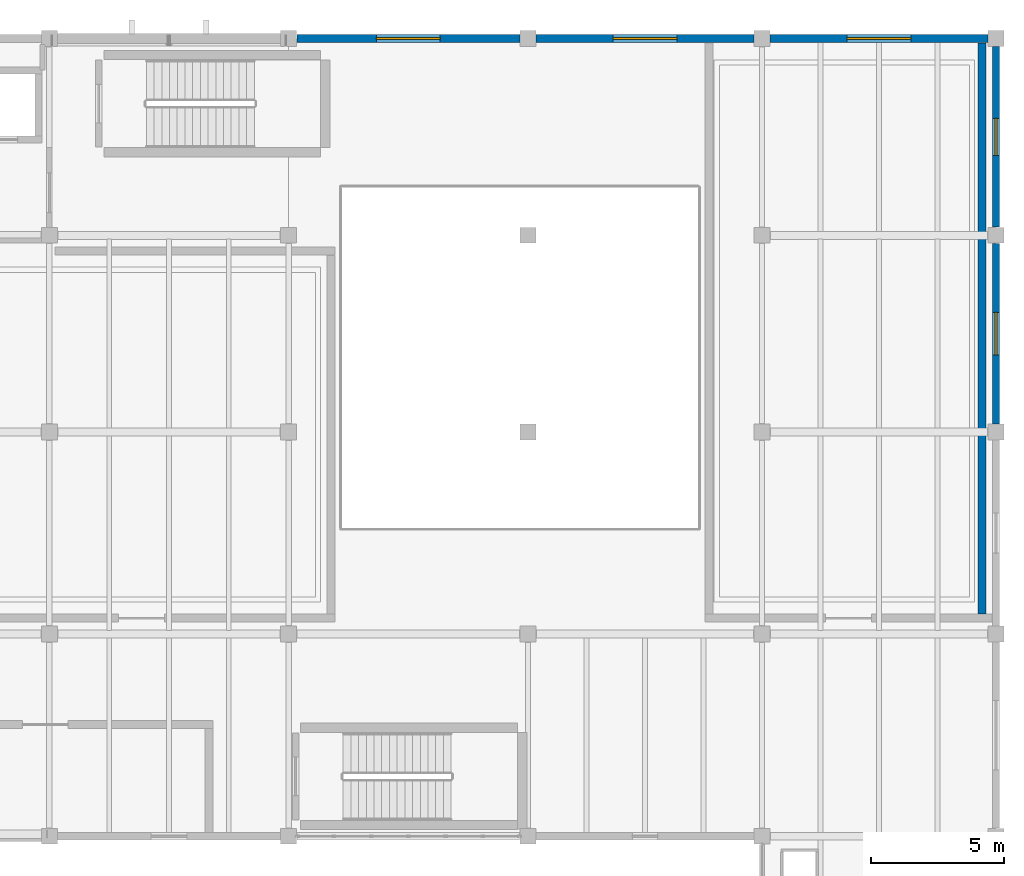
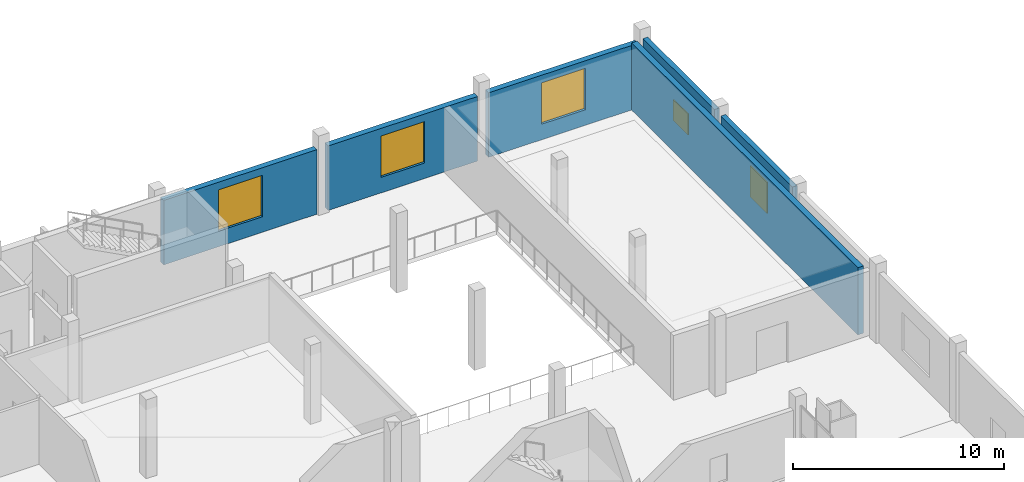
# One storey, part 125 of 136: 6 walls, 5 windows, 5 openings.
"""IFC4 building model written with IfcOpenShell, lengths in metres."""

import ifcopenshell
import ifcopenshell.guid

model = None  # the IFC model being written
_history = None  # IfcOwnerHistory: only IFC2X3 demands one
_inside = {}  # id of a spatial element -> (the spatial element, [elements in it])
_under = {}  # id of a project, library or spatial element -> (it, [spatial elements below it])
_declared = {}  # id of a project -> (the project, [libraries it declares])
_typed = {}  # id of a type object -> (the type object, [elements of that type])
_made_of = {}  # id of a material, layer set ... -> (it, [elements and type objects made of it])


def new_model(schema):
    """Start an empty IFC model of exactly this schema.

    Asked for "IFC4X3", IfcOpenShell would pick the latest addendum, in which some entities
    have other attributes; the version numbers below select the first issue.
    IFC2X3 requires an IfcOwnerHistory on every rooted entity: one is made here for all.
    """
    global model, _history
    if schema == "IFC4X3":
        model = ifcopenshell.file(schema_version=(4, 3, 0, 0))
    else:
        model = ifcopenshell.file(schema=schema)
    _inside.clear()
    _under.clear()
    _declared.clear()
    _typed.clear()
    _made_of.clear()
    _history = None
    if model.schema == "IFC2X3":
        org = make("IfcOrganization", Name="unknown")
        user = make(
            "IfcPersonAndOrganization",
            ThePerson=make("IfcPerson", FamilyName="unknown"),
            TheOrganization=org,
        )
        app = make(
            "IfcApplication",
            ApplicationDeveloper=org,
            Version="unknown",
            ApplicationFullName="unknown",
            ApplicationIdentifier="unknown",
        )
        _history = make(
            "IfcOwnerHistory",
            OwningUser=user,
            OwningApplication=app,
            ChangeAction="ADDED",
            CreationDate=0,
        )
    return model


def make(cls, **values):
    """One entity of the class cls with the attributes given. An attribute that is None is left unset."""
    return model.create_entity(
        cls, **{name: value for name, value in values.items() if value is not None}
    )


def rooted(cls, **values):
    """An entity with a GlobalId (a new one), such as an element, a storey or a relation."""
    return make(cls, GlobalId=ifcopenshell.guid.new(), OwnerHistory=_history, **values)


def si_unit(unit_type, name, prefix=None):
    """IfcSIUnit, for example si_unit("LENGTHUNIT", "METRE", prefix="MILLI")."""
    return make("IfcSIUnit", UnitType=unit_type, Prefix=prefix, Name=name)


def assignment(units):
    """IfcUnitAssignment: the units of a project."""
    return None if units is None else make("IfcUnitAssignment", Units=units)


def point(xyz):
    """IfcCartesianPoint."""
    return None if xyz is None else make("IfcCartesianPoint", Coordinates=xyz)


def direction(xyz):
    """IfcDirection."""
    return None if xyz is None else make("IfcDirection", DirectionRatios=xyz)


def frame(location, z_axis=None, x_axis=None):
    """IfcAxis2Placement3D, a coordinate frame: its origin and axes. An axis left out is left unset."""
    return make(
        "IfcAxis2Placement3D",
        Location=point(location),
        Axis=direction(z_axis),
        RefDirection=direction(x_axis),
    )


def frame_2d(location, x_axis=None):
    """IfcAxis2Placement2D, a coordinate frame in the plane: its origin and x axis."""
    return make(
        "IfcAxis2Placement2D", Location=point(location), RefDirection=direction(x_axis)
    )


def origin():
    """The frame at (0, 0, 0) with its axes left unset."""
    return frame((0.0, 0.0, 0.0))


def place(relative_to, where):
    """IfcLocalPlacement: puts the frame where relative to a parent placement (None: the world)."""
    return make(
        "IfcLocalPlacement", PlacementRelTo=relative_to, RelativePlacement=where
    )


def context(
    kind, dimensions, precision=None, world=None, true_north=None, identifier=None
):
    """IfcGeometricRepresentationContext, for example the 3D "Model" context."""
    return make(
        "IfcGeometricRepresentationContext",
        ContextIdentifier=identifier,
        ContextType=kind,
        CoordinateSpaceDimension=dimensions,
        Precision=precision,
        WorldCoordinateSystem=world,
        TrueNorth=true_north,
    )


def subcontext(parent, identifier, kind, view, scale=None):
    """IfcGeometricRepresentationSubContext, for example "Body" below "Model"."""
    return make(
        "IfcGeometricRepresentationSubContext",
        ContextIdentifier=identifier,
        ContextType=kind,
        ParentContext=parent,
        TargetScale=scale,
        TargetView=view,
    )


def project(units=None, contexts=None):
    """IfcProject with its units and contexts."""
    return rooted(
        "IfcProject",
        Name="project",
        RepresentationContexts=contexts,
        UnitsInContext=assignment(units),
    )


def spatial(cls, under=None, at=None, **own):
    """A site, building, storey or space (cls), placed at a placement, below another one or the project."""
    s = rooted(cls, ObjectPlacement=at, **own)
    if under is not None:
        _under.setdefault(under.id(), (under, []))[1].append(s)
    return s


def profile(cls, at=None, kind="AREA", **sizes):
    """A parametric profile (cls). Its sizes go by their IFC names, for example OverallWidth=200.0."""
    return make(cls, ProfileType=kind, Position=at, **sizes)


def rectangle(**sizes):
    """IfcRectangleProfileDef."""
    return profile("IfcRectangleProfileDef", **sizes)


def extrude(swept, where, along, depth):
    """IfcExtrudedAreaSolid: the profile swept, set in the frame where, extruded along a direction by depth."""
    return make(
        "IfcExtrudedAreaSolid",
        SweptArea=swept,
        Position=where,
        ExtrudedDirection=direction(along),
        Depth=depth,
    )


def shape(context_of_items, identifier, shape_type, items):
    """IfcShapeRepresentation: the items that make up one representation, for example the "Body"."""
    return make(
        "IfcShapeRepresentation",
        ContextOfItems=context_of_items,
        RepresentationIdentifier=identifier,
        RepresentationType=shape_type,
        Items=items,
    )


def material(Name=None, Category=None):
    """IfcMaterial."""
    return make("IfcMaterial", Name=Name, Category=Category)


def layer(
    of_material, thickness, ventilated=None, Name=None, Category=None, Priority=None
):
    """IfcMaterialLayer: one layer of a wall or slab, of a material (None: an air gap)."""
    return make(
        "IfcMaterialLayer",
        Material=of_material,
        LayerThickness=thickness,
        IsVentilated=ventilated,
        Name=Name,
        Category=Category,
        Priority=Priority,
    )


def layer_set(layers, Name=None):
    """IfcMaterialLayerSet."""
    return make("IfcMaterialLayerSet", MaterialLayers=layers, LayerSetName=Name)


def made_of(thing, what):
    """Note that an element or type object is made of a material, layer set ...; save() writes the relation."""
    if what is not None:
        _made_of.setdefault(what.id(), (what, []))[1].append(thing)
    return thing


def type_object(cls, material=None, **own):
    """A type object (cls), such as IfcWallType, which elements share."""
    return made_of(rooted(cls, **own), material)


def element(
    cls,
    number,
    at=None,
    inside=None,
    cuts=None,
    type_object=None,
    material=None,
    context=None,
    identifier="Body",
    shape_type=None,
    held_by="IfcProductDefinitionShape",
    body=None,
    shapes=None,
    **own,
):
    """One element of the class cls, such as IfcWall. Its Tag is "e" and its number.

    at: its placement. inside: the storey or other place that contains it. cuts: it is an
    opening in that element (IfcRelVoidsElement). A single representation is given by context,
    identifier, shape_type and body (its items); several are given by shapes. held_by: the class
    of the entity that holds the representations. save() writes the other relations.
    """
    e = rooted(cls, Tag="e%d" % number, ObjectPlacement=at, **own)
    if body is not None:
        shapes = [shape(context, identifier, shape_type, body)]
    if shapes is not None:
        e.Representation = make(held_by, Representations=shapes)
    if inside is not None:
        _inside.setdefault(inside.id(), (inside, []))[1].append(e)
    if cuts is not None:
        rooted(
            "IfcRelVoidsElement", RelatingBuildingElement=cuts, RelatedOpeningElement=e
        )
    if type_object is not None:
        _typed.setdefault(type_object.id(), (type_object, []))[1].append(e)
    return made_of(e, material)


def fill(opening, filler):
    """IfcRelFillsElement: the door or window that sits in an opening."""
    return rooted(
        "IfcRelFillsElement",
        RelatingOpeningElement=opening,
        RelatedBuildingElement=filler,
    )


def aggregate(whole, parts):
    """IfcRelAggregates: a whole, such as a stair, and the parts it consists of."""
    return rooted("IfcRelAggregates", RelatingObject=whole, RelatedObjects=parts)


def save(model, path):
    """Write the relations noted so far, then the file.

    IfcRelAggregates (storeys below a building ...), IfcRelContainedInSpatialStructure (elements
    in a storey), IfcRelDefinesByType, IfcRelAssociatesMaterial and IfcRelDeclares: one each for
    every whole, place, type object, material and project.
    """
    for whole, parts in _under.values():
        aggregate(whole, parts)
    for where, things in _inside.values():
        rooted(
            "IfcRelContainedInSpatialStructure",
            RelatedElements=things,
            RelatingStructure=where,
        )
    for kind, things in _typed.values():
        rooted("IfcRelDefinesByType", RelatedObjects=things, RelatingType=kind)
    for what, things in _made_of.values():
        rooted("IfcRelAssociatesMaterial", RelatedObjects=things, RelatingMaterial=what)
    for by, libraries in _declared.values():
        rooted("IfcRelDeclares", RelatingContext=by, RelatedDefinitions=libraries)
    model.write(path)


model = new_model("IFC4")

# Units and contexts
model_context = context("Model", 3, precision=1e-05, world=origin(), true_north=direction((0.0, 1.0)))
body_context = subcontext(model_context, "Body", "Model", "MODEL_VIEW")
ifc_project = project(units=[si_unit("LENGTHUNIT", "METRE"), si_unit("AREAUNIT", "SQUARE_METRE"), si_unit("VOLUMEUNIT", "CUBIC_METRE"), si_unit("PLANEANGLEUNIT", "RADIAN"), si_unit("MASSUNIT", "GRAM", prefix="KILO")], contexts=[model_context])

# Site, building, storey
site_placement = place(None, origin())
site = spatial("IfcSite", under=ifc_project, at=site_placement, CompositionType="ELEMENT")
building_placement = place(site_placement, origin())
building = spatial("IfcBuilding", under=site, at=building_placement, Name="Shengluoqiao Park Theatre", CompositionType="ELEMENT")
storey_placement = place(building_placement, frame((0.0, 0.0, 10.0)))
storey = spatial("IfcBuildingStorey", under=building, at=storey_placement, Name="L02", CompositionType="ELEMENT", Elevation=10.0)

# Wall, opening, window
ifc_material_1 = material(Name="Concrete C40", Category="concrete")
ifc_layer_1 = layer(ifc_material_1, 0.27001953125, Name="Concrete C40")
ifc_layer_set_1 = layer_set([ifc_layer_1], Name="Concrete C40")
wall_type_1 = type_object("IfcWallType", Name="ENV-WL-CONC270", PredefinedType="STANDARD", material=ifc_layer_set_1)
wall_1_placement = place(storey_placement, frame((166.0, 99.50390625, 0.0), z_axis=(0.0, 0.0, 1.0), x_axis=(0.0, 1.0, 0.0)))
wall_1 = element("IfcWall", 1, at=wall_1_placement, inside=storey, type_object=wall_type_1, Name="L02 Exterior Wall 0234", PredefinedType="STANDARD", context=body_context, shape_type="SweptSolid", body=[
    extrude(rectangle(XDim=6.7919921875, YDim=0.27001953125, at=frame_2d((3.39599609375, 0.0))), origin(), (0.0, 0.0, 1.0), 4.0439453125),
])
opening_1_placement = place(wall_1_placement, frame((2.595947265625, 0.0, 0.89990234375)))
opening_1 = element("IfcOpeningElement", 2, at=opening_1_placement, cuts=wall_1, Name="Opening W-06", PredefinedType="OPENING", context=body_context, shape_type="SweptSolid", body=[
    extrude(rectangle(XDim=1.60009765625, YDim=1.800048828125, at=frame_2d((0.800048828125, 0.89990234375))), frame((0.0, 0.14501953125, 0.0), z_axis=(0.0, -1.0, 0.0), x_axis=(1.0, 0.0, 0.0)), (0.0, 0.0, 1.0), 0.2900390625),
])
ifc_material_2 = material(Name="Insulated glass", Category="glass")
window_type_1 = type_object("IfcWindowType", Name="ENV-WIN-W06", PartitioningType="DOUBLE_PANEL_VERTICAL", PredefinedType="WINDOW", material=ifc_material_2)
window_1_placement = place(opening_1_placement, origin())
window_1 = element("IfcWindow", 3, at=window_1_placement, inside=storey, type_object=window_type_1, Name="L02 Acoustic Window 0078", OverallHeight=1.800048828125, OverallWidth=1.60009765625, PartitioningType="DOUBLE_PANEL_VERTICAL", PredefinedType="WINDOW", context=body_context, shape_type="SweptSolid", body=[
    extrude(rectangle(XDim=1.60009765625, YDim=1.800048828125, at=frame_2d((0.800048828125, 0.89990234375))), frame((0.0, 0.030029296875, 0.0), z_axis=(0.0, -1.0, 0.0), x_axis=(1.0, 0.0, 0.0)), (0.0, 0.0, 1.0), 0.06005859375),
])
fill(opening_1, window_1)

wall_2_placement = place(storey_placement, frame((166.0, 106.904052734375, 0.0), z_axis=(0.0, 0.0, 1.0), x_axis=(0.0, 1.0, 0.0)))
wall_2 = element("IfcWall", 4, at=wall_2_placement, inside=storey, type_object=wall_type_1, Name="L02 Exterior Wall 0235", PredefinedType="STANDARD", context=body_context, shape_type="SweptSolid", body=[
    extrude(rectangle(XDim=6.7919921875, YDim=0.27001953125, at=frame_2d((3.39599609375, 0.0))), origin(), (0.0, 0.0, 1.0), 4.0439453125),
])
opening_2_placement = place(wall_2_placement, frame((2.696044921875, 0.0, 0.89990234375)))
opening_2 = element("IfcOpeningElement", 5, at=opening_2_placement, cuts=wall_2, Name="Opening W-12", PredefinedType="OPENING", context=body_context, shape_type="SweptSolid", body=[
    extrude(rectangle(XDim=1.39990234375, YDim=1.199951171875, at=frame_2d((0.699951171875, 0.60009765625))), frame((0.0, 0.14501953125, 0.0), z_axis=(0.0, -1.0, 0.0), x_axis=(1.0, 0.0, 0.0)), (0.0, 0.0, 1.0), 0.2900390625),
])
window_type_2 = type_object("IfcWindowType", Name="ENV-WIN-W12", PartitioningType="SINGLE_PANEL", PredefinedType="WINDOW", material=ifc_material_2)
window_2_placement = place(opening_2_placement, origin())
window_2 = element("IfcWindow", 6, at=window_2_placement, inside=storey, type_object=window_type_2, Name="L02 Acoustic Window 0079", OverallHeight=1.199951171875, OverallWidth=1.39990234375, PartitioningType="SINGLE_PANEL", PredefinedType="WINDOW", context=body_context, shape_type="SweptSolid", body=[
    extrude(rectangle(XDim=1.39990234375, YDim=1.199951171875, at=frame_2d((0.699951171875, 0.60009765625))), frame((0.0, 0.030029296875, 0.0), z_axis=(0.0, -1.0, 0.0), x_axis=(1.0, 0.0, 0.0)), (0.0, 0.0, 1.0), 0.06005859375),
])
fill(opening_2, window_2)

ifc_layer_2 = layer(ifc_material_1, 0.31005859375, Name="Concrete C40")
ifc_layer_set_2 = layer_set([ifc_layer_2], Name="Concrete C40")
wall_type_2 = type_object("IfcWallType", Name="ENV-WL-CONC310", PredefinedType="STANDARD", material=ifc_layer_set_2)
wall_3_placement = place(storey_placement, frame((139.7041015625, 114.0, 0.0), z_axis=(0.0, 0.0, 1.0), x_axis=(1.0, 0.0, 0.0)))
wall_3 = element("IfcWall", 7, at=wall_3_placement, inside=storey, type_object=wall_type_2, Name="L02 Exterior Wall 0214", PredefinedType="STANDARD", context=body_context, shape_type="SweptSolid", body=[
    extrude(rectangle(XDim=8.391845703125, YDim=0.31005859375, at=frame_2d((4.19580078125, 0.0))), origin(), (0.0, 0.0, 1.0), 3.738037109375),
])
opening_3_placement = place(wall_3_placement, frame((2.99609375, 0.0, 0.89990234375)))
opening_3 = element("IfcOpeningElement", 8, at=opening_3_placement, cuts=wall_3, Name="Opening W-02", PredefinedType="OPENING", context=body_context, shape_type="SweptSolid", body=[
    extrude(rectangle(XDim=2.39990234375, YDim=2.39990234375, at=frame_2d((1.199951171875, 1.199951171875))), frame((0.0, 0.1650390625, 0.0), z_axis=(0.0, -1.0, 0.0), x_axis=(1.0, 0.0, 0.0)), (0.0, 0.0, 1.0), 0.330078125),
])
window_type_3 = type_object("IfcWindowType", Name="ENV-WIN-W02", PartitioningType="TRIPLE_PANEL_VERTICAL", PredefinedType="WINDOW", material=ifc_material_2)
window_3_placement = place(opening_3_placement, origin())
window_3 = element("IfcWindow", 9, at=window_3_placement, inside=storey, type_object=window_type_3, Name="L02 Acoustic Window 0059", OverallHeight=2.39990234375, OverallWidth=2.39990234375, PartitioningType="TRIPLE_PANEL_VERTICAL", PredefinedType="WINDOW", context=body_context, shape_type="SweptSolid", body=[
    extrude(rectangle(XDim=2.39990234375, YDim=2.39990234375, at=frame_2d((1.199951171875, 1.199951171875))), frame((0.0, 0.030029296875, 0.0), z_axis=(0.0, -1.0, 0.0), x_axis=(1.0, 0.0, 0.0)), (0.0, 0.0, 1.0), 0.06005859375),
])
fill(opening_3, window_3)

wall_4_placement = place(storey_placement, frame((148.7041015625, 114.0, 0.0), z_axis=(0.0, 0.0, 1.0), x_axis=(1.0, 0.0, 0.0)))
wall_4 = element("IfcWall", 10, at=wall_4_placement, inside=storey, type_object=wall_type_2, Name="L02 Exterior Wall 0215", PredefinedType="STANDARD", context=body_context, shape_type="SweptSolid", body=[
    extrude(rectangle(XDim=8.19189453125, YDim=0.31005859375, at=frame_2d((4.095947265625, 0.0))), origin(), (0.0, 0.0, 1.0), 3.738037109375),
])
opening_4_placement = place(wall_4_placement, frame((2.89599609375, 0.0, 0.89990234375)))
opening_4 = element("IfcOpeningElement", 11, at=opening_4_placement, cuts=wall_4, Name="Opening W-02", PredefinedType="OPENING", context=body_context, shape_type="SweptSolid", body=[
    extrude(rectangle(XDim=2.39990234375, YDim=2.39990234375, at=frame_2d((1.199951171875, 1.199951171875))), frame((0.0, 0.1650390625, 0.0), z_axis=(0.0, -1.0, 0.0), x_axis=(1.0, 0.0, 0.0)), (0.0, 0.0, 1.0), 0.330078125),
])
window_4_placement = place(opening_4_placement, origin())
window_4 = element("IfcWindow", 12, at=window_4_placement, inside=storey, type_object=window_type_3, Name="L02 Acoustic Window 0060", OverallHeight=2.39990234375, OverallWidth=2.39990234375, PartitioningType="TRIPLE_PANEL_VERTICAL", PredefinedType="WINDOW", context=body_context, shape_type="SweptSolid", body=[
    extrude(rectangle(XDim=2.39990234375, YDim=2.39990234375, at=frame_2d((1.199951171875, 1.199951171875))), frame((0.0, 0.030029296875, 0.0), z_axis=(0.0, -1.0, 0.0), x_axis=(1.0, 0.0, 0.0)), (0.0, 0.0, 1.0), 0.06005859375),
])
fill(opening_4, window_4)

wall_5_placement = place(storey_placement, frame((157.50390625, 114.0, 0.0), z_axis=(0.0, 0.0, 1.0), x_axis=(1.0, 0.0, 0.0)))
wall_5 = element("IfcWall", 13, at=wall_5_placement, inside=storey, type_object=wall_type_2, Name="L02 Exterior Wall 0216", PredefinedType="STANDARD", context=body_context, shape_type="SweptSolid", body=[
    extrude(rectangle(XDim=8.192138671875, YDim=0.31005859375, at=frame_2d((4.09619140625, 0.0))), origin(), (0.0, 0.0, 1.0), 3.738037109375),
])
opening_5_placement = place(wall_5_placement, frame((2.89599609375, 0.0, 0.89990234375)))
opening_5 = element("IfcOpeningElement", 14, at=opening_5_placement, cuts=wall_5, Name="Opening W-02", PredefinedType="OPENING", context=body_context, shape_type="SweptSolid", body=[
    extrude(rectangle(XDim=2.39990234375, YDim=2.39990234375, at=frame_2d((1.199951171875, 1.199951171875))), frame((0.0, 0.1650390625, 0.0), z_axis=(0.0, -1.0, 0.0), x_axis=(1.0, 0.0, 0.0)), (0.0, 0.0, 1.0), 0.330078125),
])
window_5_placement = place(opening_5_placement, origin())
window_5 = element("IfcWindow", 15, at=window_5_placement, inside=storey, type_object=window_type_3, Name="L02 Acoustic Window 0061", OverallHeight=2.39990234375, OverallWidth=2.39990234375, PartitioningType="TRIPLE_PANEL_VERTICAL", PredefinedType="WINDOW", context=body_context, shape_type="SweptSolid", body=[
    extrude(rectangle(XDim=2.39990234375, YDim=2.39990234375, at=frame_2d((1.199951171875, 1.199951171875))), frame((0.0, 0.030029296875, 0.0), z_axis=(0.0, -1.0, 0.0), x_axis=(1.0, 0.0, 0.0)), (0.0, 0.0, 1.0), 0.06005859375),
])
fill(opening_5, window_5)

# Wall
ifc_material_3 = material(Name="Gypsum acoustic stud", Category="gypsum")
ifc_layer_3 = layer(ifc_material_3, 0.300048828125, Name="Gypsum acoustic stud")
ifc_layer_set_3 = layer_set([ifc_layer_3], Name="Gypsum acoustic stud")
wall_type_3 = type_object("IfcWallType", Name="INT-WL-ACO300", PredefinedType="PARTITIONING", material=ifc_layer_set_3)
wall_6_placement = place(storey_placement, frame((165.47998046875, 92.35595703125, 0.0), z_axis=(0.0, 0.0, 1.0), x_axis=(0.0, 1.0, 0.0)))
element("IfcWall", 16, at=wall_6_placement, inside=storey, type_object=wall_type_3, Name="Dance Rehearsal Room Partition E", PredefinedType="PARTITIONING", context=body_context, shape_type="SweptSolid", body=[
    extrude(rectangle(XDim=21.48095703125, YDim=0.300048828125, at=frame_2d((10.740478515625, 0.0))), origin(), (0.0, 0.0, 1.0), 3.89794921875),
])

save(model, "model.ifc")
